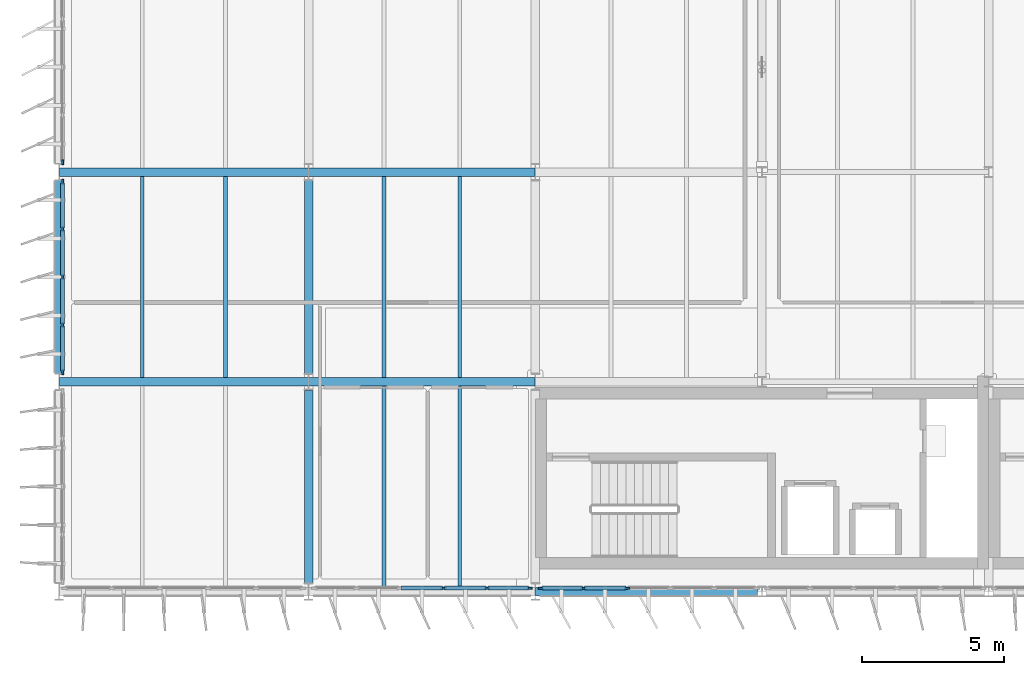
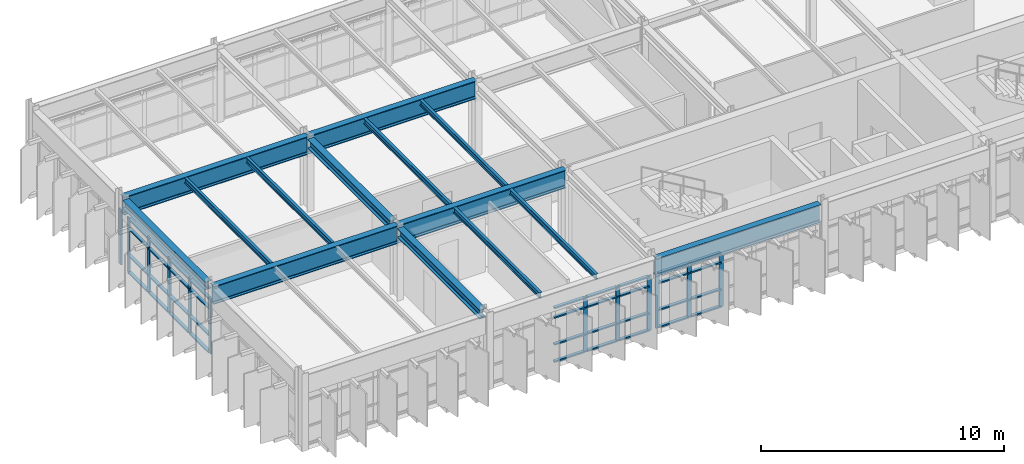
# One storey, part 7 of 45: 48 members, 14 beams, 4 elements without a shape of their own.
"""IFC4 building model written with IfcOpenShell, lengths in metres."""

from ifc_helpers import new_model, si_unit, direction, frame, origin, origin_2d, place, context, subcontext, project, spatial, rectangle, i_section, extrude, material, layer, layer_set, material_profile, profile_set, type_object, element, aggregate, save


model = new_model("IFC4")

# Units and contexts
model_context = context("Model", 3, precision=1e-05, world=origin(), true_north=direction((0.0, 1.0)))
body_context = subcontext(model_context, "Body", "Model", "MODEL_VIEW")
ifc_project = project(units=[si_unit("LENGTHUNIT", "METRE"), si_unit("AREAUNIT", "SQUARE_METRE"), si_unit("VOLUMEUNIT", "CUBIC_METRE"), si_unit("PLANEANGLEUNIT", "RADIAN"), si_unit("MASSUNIT", "GRAM", prefix="KILO")], contexts=[model_context])

# Site, building, storey
site_placement = place(None, origin())
site = spatial("IfcSite", under=ifc_project, at=site_placement, CompositionType="ELEMENT")
building_placement = place(site_placement, origin())
building = spatial("IfcBuilding", under=site, at=building_placement, Name="Valkorina Park Police Headquarters", CompositionType="ELEMENT")
storey_placement = place(building_placement, frame((0.0, 0.0, 23.300048828125)))
storey = spatial("IfcBuildingStorey", under=building, at=storey_placement, Name="L06", CompositionType="ELEMENT", Elevation=23.300048828125)

# Beams
ifc_material_1 = material(Name="Steel S355", Category="steel")
ifc_material_profile_1 = material_profile(ifc_material_1, i_section(OverallWidth=0.300048828125, OverallDepth=0.389892578125, WebThickness=0.010986328125, FlangeThickness=0.01904296875, FilletRadius=0.027099609375, at=origin_2d()), Name="HEA 400")
ifc_profile_set_1 = profile_set([ifc_material_profile_1], Name="Steel S355")
beam_type_1 = type_object("IfcBeamType", Name="BM-S355-HEA400-SPN", PredefinedType="SPANDREL", material=ifc_profile_set_1)
beam_1_placement = place(storey_placement, frame((0.0, 44.699951171875, 3.48486328125), z_axis=(0.0, 1.0, 0.0), x_axis=(-1.0, 0.0, 0.0)))
element("IfcBeam", 1, at=beam_1_placement, inside=storey, type_object=beam_type_1, Name="L06 Framing Beam 2658", PredefinedType="SPANDREL", context=body_context, shape_type="SweptSolid", body=[
    extrude(i_section(OverallWidth=0.300048828125, OverallDepth=0.389892578125, WebThickness=0.010986328125, FlangeThickness=0.01904296875, FilletRadius=0.027099609375, at=origin_2d()), origin(), (0.0, 0.0, 1.0), 6.800048828125),
])
ifc_material_profile_2 = material_profile(ifc_material_1, i_section(OverallWidth=0.300048828125, OverallDepth=0.449951171875, WebThickness=0.013916015625, FlangeThickness=0.02587890625, FilletRadius=0.027099609375, at=origin_2d()), Name="HEB 450")
ifc_profile_set_2 = profile_set([ifc_material_profile_2], Name="Steel S355")
beam_type_2 = type_object("IfcBeamType", Name="BM-S355-HEB450-BM", PredefinedType="BEAM", material=ifc_profile_set_2)
for number, where, z_axis, x_axis, name in (
    (2, (8.800048828125, 37.300048828125, 3.454833984375), (0.0, 1.0, 0.0), (-1.0, 0.0, 0.0), "L06 Framing Beam 2664"),
    (3, (8.800048828125, 44.699951171875, 3.454833984375), (0.0, 1.0, 0.0), (-1.0, 0.0, 0.0), "L06 Framing Beam 2667"),
):
    element("IfcBeam", number, at=place(storey_placement, frame(where, z_axis=z_axis, x_axis=x_axis)), inside=storey, type_object=beam_type_2, Name=name, PredefinedType="BEAM", context=body_context, shape_type="SweptSolid", body=[
        extrude(i_section(OverallWidth=0.300048828125, OverallDepth=0.449951171875, WebThickness=0.013916015625, FlangeThickness=0.02587890625, FilletRadius=0.027099609375, at=origin_2d()), origin(), (0.0, 0.0, 1.0), 6.800048828125),
    ])
ifc_material_profile_3 = material_profile(ifc_material_1, i_section(OverallWidth=0.300048828125, OverallDepth=0.89990234375, WebThickness=0.0185546875, FlangeThickness=0.034912109375, FilletRadius=0.030029296875, at=origin_2d()), Name="HEB 900")
ifc_profile_set_3 = profile_set([ifc_material_profile_3], Name="Steel S355")
beam_type_3 = type_object("IfcBeamType", Name="BM-S355-HEB900-BM", PredefinedType="BEAM", material=ifc_profile_set_3)
beam_2_placement = place(storey_placement, frame((0.0078125, 44.39990234375, 3.22998046875), z_axis=(1.0, 0.0, 0.0), x_axis=(0.0, 1.0, 0.0)))
element("IfcBeam", 4, at=beam_2_placement, inside=storey, type_object=beam_type_3, Name="L06 Framing Beam 2614", PredefinedType="BEAM", context=body_context, shape_type="SweptSolid", body=[
    extrude(i_section(OverallWidth=0.300048828125, OverallDepth=0.89990234375, WebThickness=0.0185546875, FlangeThickness=0.034912109375, FilletRadius=0.030029296875, at=origin_2d()), origin(), (0.0, 0.0, 1.0), 8.784423828125),
])
beam_3_placement = place(storey_placement, frame((8.8076171875, 44.39990234375, 3.22998046875), z_axis=(1.0, 0.0, 0.0), x_axis=(0.0, 1.0, 0.0)))
element("IfcBeam", 5, at=beam_3_placement, inside=storey, type_object=beam_type_3, Name="L06 Framing Beam 2615", PredefinedType="BEAM", context=body_context, shape_type="SweptSolid", body=[
    extrude(i_section(OverallWidth=0.300048828125, OverallDepth=0.89990234375, WebThickness=0.0185546875, FlangeThickness=0.034912109375, FilletRadius=0.030029296875, at=origin_2d()), origin(), (0.0, 0.0, 1.0), 7.984619140625),
])
beam_4_placement = place(storey_placement, frame((0.0078125, 51.800048828125, 3.22998046875), z_axis=(1.0, 0.0, 0.0), x_axis=(0.0, 1.0, 0.0)))
element("IfcBeam", 6, at=beam_4_placement, inside=storey, type_object=beam_type_3, Name="L06 Framing Beam 2623", PredefinedType="BEAM", context=body_context, shape_type="SweptSolid", body=[
    extrude(i_section(OverallWidth=0.300048828125, OverallDepth=0.89990234375, WebThickness=0.0185546875, FlangeThickness=0.034912109375, FilletRadius=0.030029296875, at=origin_2d()), origin(), (0.0, 0.0, 1.0), 8.784423828125),
])
beam_5_placement = place(storey_placement, frame((8.8076171875, 51.800048828125, 3.22998046875), z_axis=(1.0, 0.0, 0.0), x_axis=(0.0, 1.0, 0.0)))
element("IfcBeam", 7, at=beam_5_placement, inside=storey, type_object=beam_type_3, Name="L06 Framing Beam 2624", PredefinedType="BEAM", context=body_context, shape_type="SweptSolid", body=[
    extrude(i_section(OverallWidth=0.300048828125, OverallDepth=0.89990234375, WebThickness=0.0185546875, FlangeThickness=0.034912109375, FilletRadius=0.030029296875, at=origin_2d()), origin(), (0.0, 0.0, 1.0), 7.984619140625),
])
ifc_material_profile_4 = material_profile(ifc_material_1, i_section(OverallWidth=0.300048828125, OverallDepth=0.89990234375, WebThickness=0.0185546875, FlangeThickness=0.034912109375, FilletRadius=0.030029296875, at=origin_2d()), Name="HEB 900")
ifc_profile_set_4 = profile_set([ifc_material_profile_4], Name="Steel S355")
beam_type_4 = type_object("IfcBeamType", Name="BM-S355-HEB900-EXT", PredefinedType="SPANDREL", material=ifc_profile_set_4)
beam_6_placement = place(storey_placement, frame((16.8076171875, 37.0, 3.22998046875), z_axis=(1.0, 0.0, 0.0), x_axis=(0.0, 1.0, 0.0)))
element("IfcBeam", 8, at=beam_6_placement, inside=storey, type_object=beam_type_4, Name="L06 Framing Beam 2604", PredefinedType="SPANDREL", context=body_context, shape_type="SweptSolid", body=[
    extrude(i_section(OverallWidth=0.300048828125, OverallDepth=0.89990234375, WebThickness=0.0185546875, FlangeThickness=0.034912109375, FilletRadius=0.030029296875, at=origin_2d()), origin(), (0.0, 0.0, 1.0), 7.84228515625),
])
ifc_material_profile_5 = material_profile(ifc_material_1, i_section(OverallWidth=0.135009765625, OverallDepth=0.27001953125, WebThickness=0.006591796875, FlangeThickness=0.01025390625, FilletRadius=0.014892578125, at=origin_2d()), Name="IPE 270")
ifc_profile_set_5 = profile_set([ifc_material_profile_5], Name="Steel S355")
beam_type_5 = type_object("IfcBeamType", Name="BM-S355-IPE270-JST", PredefinedType="JOIST", material=ifc_profile_set_5)
for number, where, z_axis, x_axis, name in (
    (9, (2.933349609375, 44.550048828125, 3.544921875), (0.0, 1.0, 0.0), (-1.0, 0.0, 0.0), "L06 Framing Beam 2659"),
    (10, (5.86669921875, 44.550048828125, 3.544921875), (0.0, 1.0, 0.0), (-1.0, 0.0, 0.0), "L06 Framing Beam 2660"),
):
    element("IfcBeam", number, at=place(storey_placement, frame(where, z_axis=z_axis, x_axis=x_axis)), inside=storey, type_object=beam_type_5, Name=name, PredefinedType="JOIST", context=body_context, shape_type="SweptSolid", body=[
        extrude(i_section(OverallWidth=0.135009765625, OverallDepth=0.27001953125, WebThickness=0.006591796875, FlangeThickness=0.01025390625, FilletRadius=0.014892578125, at=origin_2d()), origin(), (0.0, 0.0, 1.0), 7.099853515625),
    ])
for number, where, z_axis, x_axis, name in (
    (11, (11.466796875, 37.14990234375, 3.544921875), (0.0, 1.0, 0.0), (-1.0, 0.0, 0.0), "L06 Framing Beam 2665"),
    (12, (14.13330078125, 37.14990234375, 3.544921875), (0.0, 1.0, 0.0), (-1.0, 0.0, 0.0), "L06 Framing Beam 2666"),
):
    element("IfcBeam", number, at=place(storey_placement, frame(where, z_axis=z_axis, x_axis=x_axis)), inside=storey, type_object=beam_type_5, Name=name, PredefinedType="JOIST", context=body_context, shape_type="SweptSolid", body=[
        extrude(i_section(OverallWidth=0.135009765625, OverallDepth=0.27001953125, WebThickness=0.006591796875, FlangeThickness=0.01025390625, FilletRadius=0.014892578125, at=origin_2d()), origin(), (0.0, 0.0, 1.0), 7.10009765625),
    ])
for number, where, z_axis, x_axis, name in (
    (13, (11.466796875, 44.550048828125, 3.544921875), (0.0, 1.0, 0.0), (-1.0, 0.0, 0.0), "L06 Framing Beam 2668"),
    (14, (14.13330078125, 44.550048828125, 3.544921875), (0.0, 1.0, 0.0), (-1.0, 0.0, 0.0), "L06 Framing Beam 2669"),
):
    element("IfcBeam", number, at=place(storey_placement, frame(where, z_axis=z_axis, x_axis=x_axis)), inside=storey, type_object=beam_type_5, Name=name, PredefinedType="JOIST", context=body_context, shape_type="SweptSolid", body=[
        extrude(i_section(OverallWidth=0.135009765625, OverallDepth=0.27001953125, WebThickness=0.006591796875, FlangeThickness=0.01025390625, FilletRadius=0.014892578125, at=origin_2d()), origin(), (0.0, 0.0, 1.0), 7.099853515625),
    ])

# Curtain wall, members
ifc_material_2 = material(Name="Thermally broken aluminium AW-6060", Category="aluminium")
ifc_layer_1 = layer(ifc_material_2, 0.18994140625)
ifc_layer_set_1 = layer_set([ifc_layer_1], Name="Thermally broken aluminium AW-6060")
curtain_wall_type_1 = type_object("IfcCurtainWallType", Name="CW-V5-6780x2770", PredefinedType="NOTDEFINED", material=ifc_layer_set_1)
curtain_wall_1_placement = place(storey_placement, origin())
curtain_wall_1 = element("IfcCurtainWall", 15, at=curtain_wall_1_placement, inside=storey, type_object=curtain_wall_type_1, Name="L06 Unitised Curtain Wall 098", PredefinedType="NOTDEFINED")
ifc_material_profile_6 = material_profile(ifc_material_2, rectangle(XDim=0.070068359375, YDim=0.18994140625, at=origin_2d()), Name="CWM-02 70x190")
ifc_profile_set_6 = profile_set([ifc_material_profile_6], Name="Thermally broken aluminium AW-6060")
member_type_1 = type_object("IfcMemberType", Name="CWM-70x190", PredefinedType="MULLION", material=ifc_profile_set_6)
member_1_placement = place(storey_placement, frame((0.1201171875, 44.7451171875, 0.0), z_axis=(0.0, 0.0, 1.0), x_axis=(-1.0, 0.0, 0.0)))
member_1 = element("IfcMember", 16, at=member_1_placement, type_object=member_type_1, Name="CW-V5-678-277 mullion 1", PredefinedType="MULLION", context=body_context, shape_type="SweptSolid", body=[
    extrude(rectangle(XDim=0.070068359375, YDim=0.18994140625, at=origin_2d()), origin(), (0.0, 0.0, 1.0), 2.77001953125),
])
member_2_placement = place(storey_placement, frame((0.1201171875, 46.405029296875, 0.0), z_axis=(0.0, 0.0, 1.0), x_axis=(-1.0, 0.0, 0.0)))
member_2 = element("IfcMember", 17, at=member_2_placement, type_object=member_type_1, Name="CW-V5-678-277 mullion 2", PredefinedType="MULLION", context=body_context, shape_type="SweptSolid", body=[
    extrude(rectangle(XDim=0.070068359375, YDim=0.18994140625, at=origin_2d()), origin(), (0.0, 0.0, 1.0), 2.77001953125),
])
member_3_placement = place(storey_placement, frame((0.1201171875, 48.10009765625, 0.0), z_axis=(0.0, 0.0, 1.0), x_axis=(-1.0, 0.0, 0.0)))
member_3 = element("IfcMember", 18, at=member_3_placement, type_object=member_type_1, Name="CW-V5-678-277 mullion 3", PredefinedType="MULLION", context=body_context, shape_type="SweptSolid", body=[
    extrude(rectangle(XDim=0.070068359375, YDim=0.18994140625, at=origin_2d()), origin(), (0.0, 0.0, 1.0), 2.77001953125),
])
member_4_placement = place(storey_placement, frame((0.1201171875, 49.794921875, 0.0), z_axis=(0.0, 0.0, 1.0), x_axis=(-1.0, 0.0, 0.0)))
member_4 = element("IfcMember", 19, at=member_4_placement, type_object=member_type_1, Name="CW-V5-678-277 mullion 4", PredefinedType="MULLION", context=body_context, shape_type="SweptSolid", body=[
    extrude(rectangle(XDim=0.070068359375, YDim=0.18994140625, at=origin_2d()), origin(), (0.0, 0.0, 1.0), 2.77001953125),
])
member_5_placement = place(storey_placement, frame((0.1201171875, 51.455078125, 0.0), z_axis=(0.0, 0.0, 1.0), x_axis=(-1.0, 0.0, 0.0)))
member_5 = element("IfcMember", 20, at=member_5_placement, type_object=member_type_1, Name="CW-V5-678-277 mullion 5", PredefinedType="MULLION", context=body_context, shape_type="SweptSolid", body=[
    extrude(rectangle(XDim=0.070068359375, YDim=0.18994140625, at=origin_2d()), origin(), (0.0, 0.0, 1.0), 2.77001953125),
])

# Curtain wall, member
curtain_wall_2_placement = place(storey_placement, origin())
curtain_wall_2 = element("IfcCurtainWall", 21, at=curtain_wall_2_placement, inside=storey, type_object=curtain_wall_type_1, Name="L06 Unitised Curtain Wall 099", PredefinedType="NOTDEFINED")
member_6_placement = place(storey_placement, frame((0.1201171875, 52.14501953125, 0.0), z_axis=(0.0, 0.0, 1.0), x_axis=(-1.0, 0.0, 0.0)))
member_6 = element("IfcMember", 22, at=member_6_placement, type_object=member_type_1, Name="CW-V5-678-277 mullion 1", PredefinedType="MULLION", context=body_context, shape_type="SweptSolid", body=[
    extrude(rectangle(XDim=0.070068359375, YDim=0.18994140625, at=origin_2d()), origin(), (0.0, 0.0, 1.0), 2.77001953125),
])
aggregate(curtain_wall_2, [member_6])

# Curtain wall, members
ifc_layer_2 = layer(ifc_material_2, 0.18994140625)
ifc_layer_set_2 = layer_set([ifc_layer_2], Name="Thermally broken aluminium AW-6060")
curtain_wall_type_2 = type_object("IfcCurtainWallType", Name="CW-V5-7680x2770", PredefinedType="NOTDEFINED", material=ifc_layer_set_2)
curtain_wall_3_placement = place(storey_placement, origin())
curtain_wall_3 = element("IfcCurtainWall", 23, at=curtain_wall_3_placement, inside=storey, type_object=curtain_wall_type_2, Name="L06 Unitised Curtain Wall 130", PredefinedType="NOTDEFINED")
member_7_placement = place(storey_placement, frame((20.031982421875, 37.1201171875, 0.0), z_axis=(0.0, 0.0, 1.0), x_axis=(0.0, -1.0, 0.0)))
member_7 = element("IfcMember", 24, at=member_7_placement, type_object=member_type_1, Name="CW-V5-768-277 mullion 4", PredefinedType="MULLION", context=body_context, shape_type="SweptSolid", body=[
    extrude(rectangle(XDim=0.070068359375, YDim=0.18994140625, at=origin_2d()), origin(), (0.0, 0.0, 1.0), 2.77001953125),
])
member_8_placement = place(storey_placement, frame((18.49609375, 37.1201171875, 0.0), z_axis=(0.0, 0.0, 1.0), x_axis=(0.0, -1.0, 0.0)))
member_8 = element("IfcMember", 25, at=member_8_placement, type_object=member_type_1, Name="CW-V5-768-277 mullion 5", PredefinedType="MULLION", context=body_context, shape_type="SweptSolid", body=[
    extrude(rectangle(XDim=0.070068359375, YDim=0.18994140625, at=origin_2d()), origin(), (0.0, 0.0, 1.0), 2.77001953125),
])
member_9_placement = place(storey_placement, frame((16.9951171875, 37.1201171875, 0.0), z_axis=(0.0, 0.0, 1.0), x_axis=(0.0, -1.0, 0.0)))
member_9 = element("IfcMember", 26, at=member_9_placement, type_object=member_type_1, Name="CW-V5-768-277 mullion 6", PredefinedType="MULLION", context=body_context, shape_type="SweptSolid", body=[
    extrude(rectangle(XDim=0.070068359375, YDim=0.18994140625, at=origin_2d()), origin(), (0.0, 0.0, 1.0), 2.77001953125),
])

curtain_wall_4_placement = place(storey_placement, origin())
curtain_wall_4 = element("IfcCurtainWall", 27, at=curtain_wall_4_placement, inside=storey, type_object=curtain_wall_type_2, Name="L06 Unitised Curtain Wall 131", PredefinedType="NOTDEFINED")
member_10_placement = place(storey_placement, frame((16.60498046875, 37.1201171875, 0.0), z_axis=(0.0, 0.0, 1.0), x_axis=(0.0, -1.0, 0.0)))
member_10 = element("IfcMember", 28, at=member_10_placement, type_object=member_type_1, Name="CW-V5-768-277 mullion 1", PredefinedType="MULLION", context=body_context, shape_type="SweptSolid", body=[
    extrude(rectangle(XDim=0.070068359375, YDim=0.18994140625, at=origin_2d()), origin(), (0.0, 0.0, 1.0), 2.77001953125),
])
member_11_placement = place(storey_placement, frame((15.10400390625, 37.1201171875, 0.0), z_axis=(0.0, 0.0, 1.0), x_axis=(0.0, -1.0, 0.0)))
member_11 = element("IfcMember", 29, at=member_11_placement, type_object=member_type_1, Name="CW-V5-768-277 mullion 2", PredefinedType="MULLION", context=body_context, shape_type="SweptSolid", body=[
    extrude(rectangle(XDim=0.070068359375, YDim=0.18994140625, at=origin_2d()), origin(), (0.0, 0.0, 1.0), 2.77001953125),
])
member_12_placement = place(storey_placement, frame((13.568115234375, 37.1201171875, 0.0), z_axis=(0.0, 0.0, 1.0), x_axis=(0.0, -1.0, 0.0)))
member_12 = element("IfcMember", 30, at=member_12_placement, type_object=member_type_1, Name="CW-V5-768-277 mullion 3", PredefinedType="MULLION", context=body_context, shape_type="SweptSolid", body=[
    extrude(rectangle(XDim=0.070068359375, YDim=0.18994140625, at=origin_2d()), origin(), (0.0, 0.0, 1.0), 2.77001953125),
])

# Member
ifc_material_profile_7 = material_profile(ifc_material_2, rectangle(XDim=0.14990234375, YDim=0.070068359375, at=origin_2d()), Name="CWT-02 150x70")
ifc_profile_set_7 = profile_set([ifc_material_profile_7], Name="Thermally broken aluminium AW-6060")
member_type_2 = type_object("IfcMemberType", Name="CWT-150x70", PredefinedType="USERDEFINED", material=ifc_profile_set_7)
member_13_placement = place(storey_placement, frame((0.1201171875, 44.780029296875, 0.034912109375), z_axis=(0.0, 1.0, 0.0), x_axis=(-1.0, 0.0, 0.0)))
member_13 = element("IfcMember", 31, at=member_13_placement, type_object=member_type_2, Name="CW-V5-678-277 transom 1.1", ObjectType="TRANSOM", PredefinedType="USERDEFINED", context=body_context, shape_type="SweptSolid", body=[
    extrude(rectangle(XDim=0.14990234375, YDim=0.070068359375, at=origin_2d()), origin(), (0.0, 0.0, 1.0), 1.590087890625),
])

member_14_placement = place(storey_placement, frame((0.1201171875, 44.780029296875, 0.89990234375), z_axis=(0.0, 1.0, 0.0), x_axis=(-1.0, 0.0, 0.0)))
member_14 = element("IfcMember", 32, at=member_14_placement, type_object=member_type_2, Name="CW-V5-678-277 transom 1.2", ObjectType="TRANSOM", PredefinedType="USERDEFINED", context=body_context, shape_type="SweptSolid", body=[
    extrude(rectangle(XDim=0.14990234375, YDim=0.070068359375, at=origin_2d()), origin(), (0.0, 0.0, 1.0), 1.590087890625),
])

member_15_placement = place(storey_placement, frame((0.1201171875, 44.780029296875, 2.25), z_axis=(0.0, 1.0, 0.0), x_axis=(-1.0, 0.0, 0.0)))
member_15 = element("IfcMember", 33, at=member_15_placement, type_object=member_type_2, Name="CW-V5-678-277 transom 1.3", ObjectType="TRANSOM", PredefinedType="USERDEFINED", context=body_context, shape_type="SweptSolid", body=[
    extrude(rectangle(XDim=0.14990234375, YDim=0.070068359375, at=origin_2d()), origin(), (0.0, 0.0, 1.0), 1.590087890625),
])

member_16_placement = place(storey_placement, frame((0.1201171875, 44.780029296875, 2.73486328125), z_axis=(0.0, 1.0, 0.0), x_axis=(-1.0, 0.0, 0.0)))
member_16 = element("IfcMember", 34, at=member_16_placement, type_object=member_type_2, Name="CW-V5-678-277 transom 1.4", ObjectType="TRANSOM", PredefinedType="USERDEFINED", context=body_context, shape_type="SweptSolid", body=[
    extrude(rectangle(XDim=0.14990234375, YDim=0.070068359375, at=origin_2d()), origin(), (0.0, 0.0, 1.0), 1.590087890625),
])

member_17_placement = place(storey_placement, frame((0.1201171875, 46.43994140625, 0.034912109375), z_axis=(0.0, 1.0, 0.0), x_axis=(-1.0, 0.0, 0.0)))
member_17 = element("IfcMember", 35, at=member_17_placement, type_object=member_type_2, Name="CW-V5-678-277 transom 2.1", ObjectType="TRANSOM", PredefinedType="USERDEFINED", context=body_context, shape_type="SweptSolid", body=[
    extrude(rectangle(XDim=0.14990234375, YDim=0.070068359375, at=origin_2d()), origin(), (0.0, 0.0, 1.0), 1.625),
])

member_18_placement = place(storey_placement, frame((0.1201171875, 46.43994140625, 0.89990234375), z_axis=(0.0, 1.0, 0.0), x_axis=(-1.0, 0.0, 0.0)))
member_18 = element("IfcMember", 36, at=member_18_placement, type_object=member_type_2, Name="CW-V5-678-277 transom 2.2", ObjectType="TRANSOM", PredefinedType="USERDEFINED", context=body_context, shape_type="SweptSolid", body=[
    extrude(rectangle(XDim=0.14990234375, YDim=0.070068359375, at=origin_2d()), origin(), (0.0, 0.0, 1.0), 1.625),
])

member_19_placement = place(storey_placement, frame((0.1201171875, 46.43994140625, 2.25), z_axis=(0.0, 1.0, 0.0), x_axis=(-1.0, 0.0, 0.0)))
member_19 = element("IfcMember", 37, at=member_19_placement, type_object=member_type_2, Name="CW-V5-678-277 transom 2.3", ObjectType="TRANSOM", PredefinedType="USERDEFINED", context=body_context, shape_type="SweptSolid", body=[
    extrude(rectangle(XDim=0.14990234375, YDim=0.070068359375, at=origin_2d()), origin(), (0.0, 0.0, 1.0), 1.625),
])

member_20_placement = place(storey_placement, frame((0.1201171875, 46.43994140625, 2.73486328125), z_axis=(0.0, 1.0, 0.0), x_axis=(-1.0, 0.0, 0.0)))
member_20 = element("IfcMember", 38, at=member_20_placement, type_object=member_type_2, Name="CW-V5-678-277 transom 2.4", ObjectType="TRANSOM", PredefinedType="USERDEFINED", context=body_context, shape_type="SweptSolid", body=[
    extrude(rectangle(XDim=0.14990234375, YDim=0.070068359375, at=origin_2d()), origin(), (0.0, 0.0, 1.0), 1.625),
])

member_21_placement = place(storey_placement, frame((0.1201171875, 48.135009765625, 0.034912109375), z_axis=(0.0, 1.0, 0.0), x_axis=(-1.0, 0.0, 0.0)))
member_21 = element("IfcMember", 39, at=member_21_placement, type_object=member_type_2, Name="CW-V5-678-277 transom 3.1", ObjectType="TRANSOM", PredefinedType="USERDEFINED", context=body_context, shape_type="SweptSolid", body=[
    extrude(rectangle(XDim=0.14990234375, YDim=0.070068359375, at=origin_2d()), origin(), (0.0, 0.0, 1.0), 1.625),
])

member_22_placement = place(storey_placement, frame((0.1201171875, 48.135009765625, 0.89990234375), z_axis=(0.0, 1.0, 0.0), x_axis=(-1.0, 0.0, 0.0)))
member_22 = element("IfcMember", 40, at=member_22_placement, type_object=member_type_2, Name="CW-V5-678-277 transom 3.2", ObjectType="TRANSOM", PredefinedType="USERDEFINED", context=body_context, shape_type="SweptSolid", body=[
    extrude(rectangle(XDim=0.14990234375, YDim=0.070068359375, at=origin_2d()), origin(), (0.0, 0.0, 1.0), 1.625),
])

member_23_placement = place(storey_placement, frame((0.1201171875, 48.135009765625, 2.25), z_axis=(0.0, 1.0, 0.0), x_axis=(-1.0, 0.0, 0.0)))
member_23 = element("IfcMember", 41, at=member_23_placement, type_object=member_type_2, Name="CW-V5-678-277 transom 3.3", ObjectType="TRANSOM", PredefinedType="USERDEFINED", context=body_context, shape_type="SweptSolid", body=[
    extrude(rectangle(XDim=0.14990234375, YDim=0.070068359375, at=origin_2d()), origin(), (0.0, 0.0, 1.0), 1.625),
])

member_24_placement = place(storey_placement, frame((0.1201171875, 48.135009765625, 2.73486328125), z_axis=(0.0, 1.0, 0.0), x_axis=(-1.0, 0.0, 0.0)))
member_24 = element("IfcMember", 42, at=member_24_placement, type_object=member_type_2, Name="CW-V5-678-277 transom 3.4", ObjectType="TRANSOM", PredefinedType="USERDEFINED", context=body_context, shape_type="SweptSolid", body=[
    extrude(rectangle(XDim=0.14990234375, YDim=0.070068359375, at=origin_2d()), origin(), (0.0, 0.0, 1.0), 1.625),
])

member_25_placement = place(storey_placement, frame((0.1201171875, 49.830078125, 0.034912109375), z_axis=(0.0, 1.0, 0.0), x_axis=(-1.0, 0.0, 0.0)))
member_25 = element("IfcMember", 43, at=member_25_placement, type_object=member_type_2, Name="CW-V5-678-277 transom 4.1", ObjectType="TRANSOM", PredefinedType="USERDEFINED", context=body_context, shape_type="SweptSolid", body=[
    extrude(rectangle(XDim=0.14990234375, YDim=0.070068359375, at=origin_2d()), origin(), (0.0, 0.0, 1.0), 1.58984375),
])

member_26_placement = place(storey_placement, frame((0.1201171875, 49.830078125, 0.89990234375), z_axis=(0.0, 1.0, 0.0), x_axis=(-1.0, 0.0, 0.0)))
member_26 = element("IfcMember", 44, at=member_26_placement, type_object=member_type_2, Name="CW-V5-678-277 transom 4.2", ObjectType="TRANSOM", PredefinedType="USERDEFINED", context=body_context, shape_type="SweptSolid", body=[
    extrude(rectangle(XDim=0.14990234375, YDim=0.070068359375, at=origin_2d()), origin(), (0.0, 0.0, 1.0), 1.58984375),
])

member_27_placement = place(storey_placement, frame((0.1201171875, 49.830078125, 2.25), z_axis=(0.0, 1.0, 0.0), x_axis=(-1.0, 0.0, 0.0)))
member_27 = element("IfcMember", 45, at=member_27_placement, type_object=member_type_2, Name="CW-V5-678-277 transom 4.3", ObjectType="TRANSOM", PredefinedType="USERDEFINED", context=body_context, shape_type="SweptSolid", body=[
    extrude(rectangle(XDim=0.14990234375, YDim=0.070068359375, at=origin_2d()), origin(), (0.0, 0.0, 1.0), 1.58984375),
])

member_28_placement = place(storey_placement, frame((0.1201171875, 49.830078125, 2.73486328125), z_axis=(0.0, 1.0, 0.0), x_axis=(-1.0, 0.0, 0.0)))
member_28 = element("IfcMember", 46, at=member_28_placement, type_object=member_type_2, Name="CW-V5-678-277 transom 4.4", ObjectType="TRANSOM", PredefinedType="USERDEFINED", context=body_context, shape_type="SweptSolid", body=[
    extrude(rectangle(XDim=0.14990234375, YDim=0.070068359375, at=origin_2d()), origin(), (0.0, 0.0, 1.0), 1.58984375),
])

aggregate(curtain_wall_1, [member_1, member_2, member_3, member_4, member_5, member_13, member_14, member_15, member_16, member_17, member_18, member_19, member_20, member_21, member_22, member_23, member_24, member_25, member_26, member_27, member_28])

member_29_placement = place(storey_placement, frame((19.9970703125, 37.1201171875, 0.034912109375), z_axis=(-1.0, 0.0, 0.0), x_axis=(0.0, -1.0, 0.0)))
member_29 = element("IfcMember", 47, at=member_29_placement, type_object=member_type_2, Name="CW-V5-768-277 transom 4.1", ObjectType="TRANSOM", PredefinedType="USERDEFINED", context=body_context, shape_type="SweptSolid", body=[
    extrude(rectangle(XDim=0.14990234375, YDim=0.070068359375, at=origin_2d()), origin(), (0.0, 0.0, 1.0), 1.466064453125),
])

member_30_placement = place(storey_placement, frame((19.9970703125, 37.1201171875, 0.89990234375), z_axis=(-1.0, 0.0, 0.0), x_axis=(0.0, -1.0, 0.0)))
member_30 = element("IfcMember", 48, at=member_30_placement, type_object=member_type_2, Name="CW-V5-768-277 transom 4.2", ObjectType="TRANSOM", PredefinedType="USERDEFINED", context=body_context, shape_type="SweptSolid", body=[
    extrude(rectangle(XDim=0.14990234375, YDim=0.070068359375, at=origin_2d()), origin(), (0.0, 0.0, 1.0), 1.466064453125),
])

member_31_placement = place(storey_placement, frame((19.9970703125, 37.1201171875, 2.25), z_axis=(-1.0, 0.0, 0.0), x_axis=(0.0, -1.0, 0.0)))
member_31 = element("IfcMember", 49, at=member_31_placement, type_object=member_type_2, Name="CW-V5-768-277 transom 4.3", ObjectType="TRANSOM", PredefinedType="USERDEFINED", context=body_context, shape_type="SweptSolid", body=[
    extrude(rectangle(XDim=0.14990234375, YDim=0.070068359375, at=origin_2d()), origin(), (0.0, 0.0, 1.0), 1.466064453125),
])

member_32_placement = place(storey_placement, frame((19.9970703125, 37.1201171875, 2.73486328125), z_axis=(-1.0, 0.0, 0.0), x_axis=(0.0, -1.0, 0.0)))
member_32 = element("IfcMember", 50, at=member_32_placement, type_object=member_type_2, Name="CW-V5-768-277 transom 4.4", ObjectType="TRANSOM", PredefinedType="USERDEFINED", context=body_context, shape_type="SweptSolid", body=[
    extrude(rectangle(XDim=0.14990234375, YDim=0.070068359375, at=origin_2d()), origin(), (0.0, 0.0, 1.0), 1.466064453125),
])

member_33_placement = place(storey_placement, frame((18.4609375, 37.1201171875, 0.034912109375), z_axis=(-1.0, 0.0, 0.0), x_axis=(0.0, -1.0, 0.0)))
member_33 = element("IfcMember", 51, at=member_33_placement, type_object=member_type_2, Name="CW-V5-768-277 transom 5.1", ObjectType="TRANSOM", PredefinedType="USERDEFINED", context=body_context, shape_type="SweptSolid", body=[
    extrude(rectangle(XDim=0.14990234375, YDim=0.070068359375, at=origin_2d()), origin(), (0.0, 0.0, 1.0), 1.430908203125),
])

member_34_placement = place(storey_placement, frame((18.4609375, 37.1201171875, 0.89990234375), z_axis=(-1.0, 0.0, 0.0), x_axis=(0.0, -1.0, 0.0)))
member_34 = element("IfcMember", 52, at=member_34_placement, type_object=member_type_2, Name="CW-V5-768-277 transom 5.2", ObjectType="TRANSOM", PredefinedType="USERDEFINED", context=body_context, shape_type="SweptSolid", body=[
    extrude(rectangle(XDim=0.14990234375, YDim=0.070068359375, at=origin_2d()), origin(), (0.0, 0.0, 1.0), 1.430908203125),
])

member_35_placement = place(storey_placement, frame((18.4609375, 37.1201171875, 2.25), z_axis=(-1.0, 0.0, 0.0), x_axis=(0.0, -1.0, 0.0)))
member_35 = element("IfcMember", 53, at=member_35_placement, type_object=member_type_2, Name="CW-V5-768-277 transom 5.3", ObjectType="TRANSOM", PredefinedType="USERDEFINED", context=body_context, shape_type="SweptSolid", body=[
    extrude(rectangle(XDim=0.14990234375, YDim=0.070068359375, at=origin_2d()), origin(), (0.0, 0.0, 1.0), 1.430908203125),
])

member_36_placement = place(storey_placement, frame((18.4609375, 37.1201171875, 2.73486328125), z_axis=(-1.0, 0.0, 0.0), x_axis=(0.0, -1.0, 0.0)))
member_36 = element("IfcMember", 54, at=member_36_placement, type_object=member_type_2, Name="CW-V5-768-277 transom 5.4", ObjectType="TRANSOM", PredefinedType="USERDEFINED", context=body_context, shape_type="SweptSolid", body=[
    extrude(rectangle(XDim=0.14990234375, YDim=0.070068359375, at=origin_2d()), origin(), (0.0, 0.0, 1.0), 1.430908203125),
])

aggregate(curtain_wall_3, [member_7, member_8, member_9, member_29, member_30, member_31, member_32, member_33, member_34, member_35, member_36])

member_37_placement = place(storey_placement, frame((16.570068359375, 37.1201171875, 0.034912109375), z_axis=(-1.0, 0.0, 0.0), x_axis=(0.0, -1.0, 0.0)))
member_37 = element("IfcMember", 55, at=member_37_placement, type_object=member_type_2, Name="CW-V5-768-277 transom 1.1", ObjectType="TRANSOM", PredefinedType="USERDEFINED", context=body_context, shape_type="SweptSolid", body=[
    extrude(rectangle(XDim=0.14990234375, YDim=0.070068359375, at=origin_2d()), origin(), (0.0, 0.0, 1.0), 1.43115234375),
])

member_38_placement = place(storey_placement, frame((16.570068359375, 37.1201171875, 0.89990234375), z_axis=(-1.0, 0.0, 0.0), x_axis=(0.0, -1.0, 0.0)))
member_38 = element("IfcMember", 56, at=member_38_placement, type_object=member_type_2, Name="CW-V5-768-277 transom 1.2", ObjectType="TRANSOM", PredefinedType="USERDEFINED", context=body_context, shape_type="SweptSolid", body=[
    extrude(rectangle(XDim=0.14990234375, YDim=0.070068359375, at=origin_2d()), origin(), (0.0, 0.0, 1.0), 1.43115234375),
])

member_39_placement = place(storey_placement, frame((16.570068359375, 37.1201171875, 2.25), z_axis=(-1.0, 0.0, 0.0), x_axis=(0.0, -1.0, 0.0)))
member_39 = element("IfcMember", 57, at=member_39_placement, type_object=member_type_2, Name="CW-V5-768-277 transom 1.3", ObjectType="TRANSOM", PredefinedType="USERDEFINED", context=body_context, shape_type="SweptSolid", body=[
    extrude(rectangle(XDim=0.14990234375, YDim=0.070068359375, at=origin_2d()), origin(), (0.0, 0.0, 1.0), 1.43115234375),
])

member_40_placement = place(storey_placement, frame((16.570068359375, 37.1201171875, 2.73486328125), z_axis=(-1.0, 0.0, 0.0), x_axis=(0.0, -1.0, 0.0)))
member_40 = element("IfcMember", 58, at=member_40_placement, type_object=member_type_2, Name="CW-V5-768-277 transom 1.4", ObjectType="TRANSOM", PredefinedType="USERDEFINED", context=body_context, shape_type="SweptSolid", body=[
    extrude(rectangle(XDim=0.14990234375, YDim=0.070068359375, at=origin_2d()), origin(), (0.0, 0.0, 1.0), 1.43115234375),
])

member_41_placement = place(storey_placement, frame((15.069091796875, 37.1201171875, 0.034912109375), z_axis=(-1.0, 0.0, 0.0), x_axis=(0.0, -1.0, 0.0)))
member_41 = element("IfcMember", 59, at=member_41_placement, type_object=member_type_2, Name="CW-V5-768-277 transom 2.1", ObjectType="TRANSOM", PredefinedType="USERDEFINED", context=body_context, shape_type="SweptSolid", body=[
    extrude(rectangle(XDim=0.14990234375, YDim=0.070068359375, at=origin_2d()), origin(), (0.0, 0.0, 1.0), 1.466064453125),
])

member_42_placement = place(storey_placement, frame((15.069091796875, 37.1201171875, 0.89990234375), z_axis=(-1.0, 0.0, 0.0), x_axis=(0.0, -1.0, 0.0)))
member_42 = element("IfcMember", 60, at=member_42_placement, type_object=member_type_2, Name="CW-V5-768-277 transom 2.2", ObjectType="TRANSOM", PredefinedType="USERDEFINED", context=body_context, shape_type="SweptSolid", body=[
    extrude(rectangle(XDim=0.14990234375, YDim=0.070068359375, at=origin_2d()), origin(), (0.0, 0.0, 1.0), 1.466064453125),
])

member_43_placement = place(storey_placement, frame((15.069091796875, 37.1201171875, 2.25), z_axis=(-1.0, 0.0, 0.0), x_axis=(0.0, -1.0, 0.0)))
member_43 = element("IfcMember", 61, at=member_43_placement, type_object=member_type_2, Name="CW-V5-768-277 transom 2.3", ObjectType="TRANSOM", PredefinedType="USERDEFINED", context=body_context, shape_type="SweptSolid", body=[
    extrude(rectangle(XDim=0.14990234375, YDim=0.070068359375, at=origin_2d()), origin(), (0.0, 0.0, 1.0), 1.466064453125),
])

member_44_placement = place(storey_placement, frame((15.069091796875, 37.1201171875, 2.73486328125), z_axis=(-1.0, 0.0, 0.0), x_axis=(0.0, -1.0, 0.0)))
member_44 = element("IfcMember", 62, at=member_44_placement, type_object=member_type_2, Name="CW-V5-768-277 transom 2.4", ObjectType="TRANSOM", PredefinedType="USERDEFINED", context=body_context, shape_type="SweptSolid", body=[
    extrude(rectangle(XDim=0.14990234375, YDim=0.070068359375, at=origin_2d()), origin(), (0.0, 0.0, 1.0), 1.466064453125),
])

member_45_placement = place(storey_placement, frame((13.532958984375, 37.1201171875, 0.034912109375), z_axis=(-1.0, 0.0, 0.0), x_axis=(0.0, -1.0, 0.0)))
member_45 = element("IfcMember", 63, at=member_45_placement, type_object=member_type_2, Name="CW-V5-768-277 transom 3.1", ObjectType="TRANSOM", PredefinedType="USERDEFINED", context=body_context, shape_type="SweptSolid", body=[
    extrude(rectangle(XDim=0.14990234375, YDim=0.070068359375, at=origin_2d()), origin(), (0.0, 0.0, 1.0), 1.466064453125),
])

member_46_placement = place(storey_placement, frame((13.532958984375, 37.1201171875, 0.89990234375), z_axis=(-1.0, 0.0, 0.0), x_axis=(0.0, -1.0, 0.0)))
member_46 = element("IfcMember", 64, at=member_46_placement, type_object=member_type_2, Name="CW-V5-768-277 transom 3.2", ObjectType="TRANSOM", PredefinedType="USERDEFINED", context=body_context, shape_type="SweptSolid", body=[
    extrude(rectangle(XDim=0.14990234375, YDim=0.070068359375, at=origin_2d()), origin(), (0.0, 0.0, 1.0), 1.466064453125),
])

member_47_placement = place(storey_placement, frame((13.532958984375, 37.1201171875, 2.25), z_axis=(-1.0, 0.0, 0.0), x_axis=(0.0, -1.0, 0.0)))
member_47 = element("IfcMember", 65, at=member_47_placement, type_object=member_type_2, Name="CW-V5-768-277 transom 3.3", ObjectType="TRANSOM", PredefinedType="USERDEFINED", context=body_context, shape_type="SweptSolid", body=[
    extrude(rectangle(XDim=0.14990234375, YDim=0.070068359375, at=origin_2d()), origin(), (0.0, 0.0, 1.0), 1.466064453125),
])

member_48_placement = place(storey_placement, frame((13.532958984375, 37.1201171875, 2.73486328125), z_axis=(-1.0, 0.0, 0.0), x_axis=(0.0, -1.0, 0.0)))
member_48 = element("IfcMember", 66, at=member_48_placement, type_object=member_type_2, Name="CW-V5-768-277 transom 3.4", ObjectType="TRANSOM", PredefinedType="USERDEFINED", context=body_context, shape_type="SweptSolid", body=[
    extrude(rectangle(XDim=0.14990234375, YDim=0.070068359375, at=origin_2d()), origin(), (0.0, 0.0, 1.0), 1.466064453125),
])

aggregate(curtain_wall_4, [member_10, member_11, member_12, member_37, member_38, member_39, member_40, member_41, member_42, member_43, member_44, member_45, member_46, member_47, member_48])

save(model, "model.ifc")
